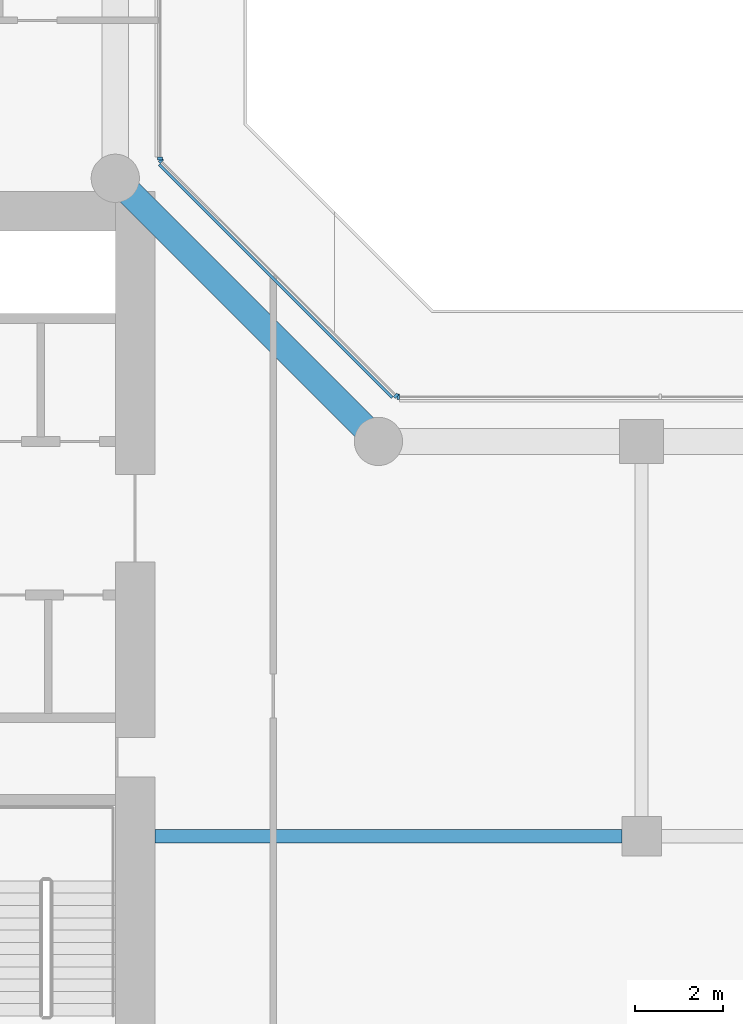
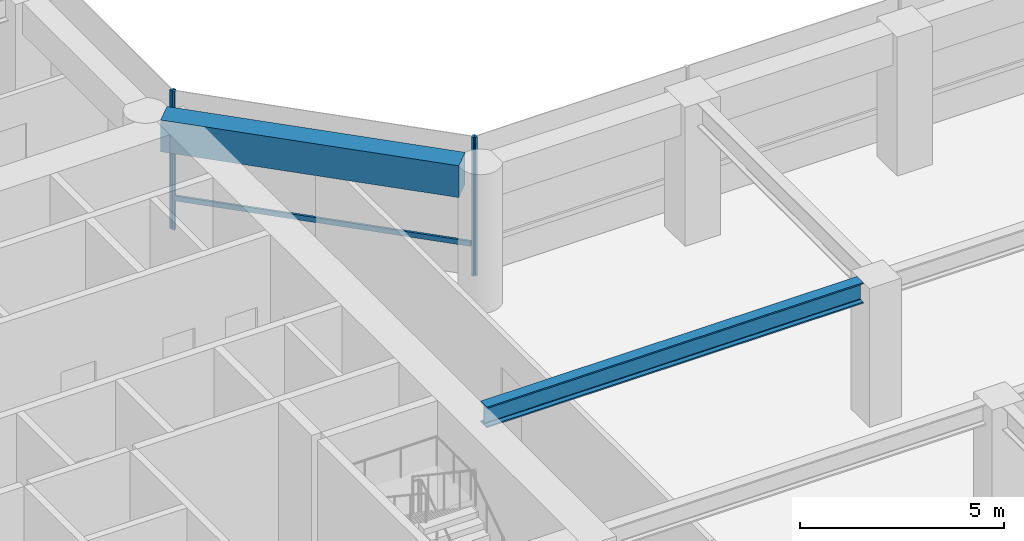
# One storey, part 5 of 24: 5 members, 2 beams, 3 elements without a shape of their own.
"""IFC4 building model written with IfcOpenShell, lengths in metres."""

import ifcopenshell
import ifcopenshell.guid

model = None  # the IFC model being written
_history = None  # IfcOwnerHistory: only IFC2X3 demands one
_inside = {}  # id of a spatial element -> (the spatial element, [elements in it])
_under = {}  # id of a project, library or spatial element -> (it, [spatial elements below it])
_declared = {}  # id of a project -> (the project, [libraries it declares])
_typed = {}  # id of a type object -> (the type object, [elements of that type])
_made_of = {}  # id of a material, layer set ... -> (it, [elements and type objects made of it])


def new_model(schema):
    """Start an empty IFC model of exactly this schema.

    Asked for "IFC4X3", IfcOpenShell would pick the latest addendum, in which some entities
    have other attributes; the version numbers below select the first issue.
    IFC2X3 requires an IfcOwnerHistory on every rooted entity: one is made here for all.
    """
    global model, _history
    if schema == "IFC4X3":
        model = ifcopenshell.file(schema_version=(4, 3, 0, 0))
    else:
        model = ifcopenshell.file(schema=schema)
    _inside.clear()
    _under.clear()
    _declared.clear()
    _typed.clear()
    _made_of.clear()
    _history = None
    if model.schema == "IFC2X3":
        org = make("IfcOrganization", Name="unknown")
        user = make(
            "IfcPersonAndOrganization",
            ThePerson=make("IfcPerson", FamilyName="unknown"),
            TheOrganization=org,
        )
        app = make(
            "IfcApplication",
            ApplicationDeveloper=org,
            Version="unknown",
            ApplicationFullName="unknown",
            ApplicationIdentifier="unknown",
        )
        _history = make(
            "IfcOwnerHistory",
            OwningUser=user,
            OwningApplication=app,
            ChangeAction="ADDED",
            CreationDate=0,
        )
    return model


def make(cls, **values):
    """One entity of the class cls with the attributes given. An attribute that is None is left unset."""
    return model.create_entity(
        cls, **{name: value for name, value in values.items() if value is not None}
    )


def rooted(cls, **values):
    """An entity with a GlobalId (a new one), such as an element, a storey or a relation."""
    return make(cls, GlobalId=ifcopenshell.guid.new(), OwnerHistory=_history, **values)


def si_unit(unit_type, name, prefix=None):
    """IfcSIUnit, for example si_unit("LENGTHUNIT", "METRE", prefix="MILLI")."""
    return make("IfcSIUnit", UnitType=unit_type, Prefix=prefix, Name=name)


def assignment(units):
    """IfcUnitAssignment: the units of a project."""
    return None if units is None else make("IfcUnitAssignment", Units=units)


def point(xyz):
    """IfcCartesianPoint."""
    return None if xyz is None else make("IfcCartesianPoint", Coordinates=xyz)


def direction(xyz):
    """IfcDirection."""
    return None if xyz is None else make("IfcDirection", DirectionRatios=xyz)


def frame(location, z_axis=None, x_axis=None):
    """IfcAxis2Placement3D, a coordinate frame: its origin and axes. An axis left out is left unset."""
    return make(
        "IfcAxis2Placement3D",
        Location=point(location),
        Axis=direction(z_axis),
        RefDirection=direction(x_axis),
    )


def frame_2d(location, x_axis=None):
    """IfcAxis2Placement2D, a coordinate frame in the plane: its origin and x axis."""
    return make(
        "IfcAxis2Placement2D", Location=point(location), RefDirection=direction(x_axis)
    )


def origin():
    """The frame at (0, 0, 0) with its axes left unset."""
    return frame((0.0, 0.0, 0.0))


def origin_2d():
    """The frame at (0, 0) in the plane with its x axis left unset."""
    return frame_2d((0.0, 0.0))


def place(relative_to, where):
    """IfcLocalPlacement: puts the frame where relative to a parent placement (None: the world)."""
    return make(
        "IfcLocalPlacement", PlacementRelTo=relative_to, RelativePlacement=where
    )


def context(
    kind, dimensions, precision=None, world=None, true_north=None, identifier=None
):
    """IfcGeometricRepresentationContext, for example the 3D "Model" context."""
    return make(
        "IfcGeometricRepresentationContext",
        ContextIdentifier=identifier,
        ContextType=kind,
        CoordinateSpaceDimension=dimensions,
        Precision=precision,
        WorldCoordinateSystem=world,
        TrueNorth=true_north,
    )


def subcontext(parent, identifier, kind, view, scale=None):
    """IfcGeometricRepresentationSubContext, for example "Body" below "Model"."""
    return make(
        "IfcGeometricRepresentationSubContext",
        ContextIdentifier=identifier,
        ContextType=kind,
        ParentContext=parent,
        TargetScale=scale,
        TargetView=view,
    )


def project(units=None, contexts=None):
    """IfcProject with its units and contexts."""
    return rooted(
        "IfcProject",
        Name="project",
        RepresentationContexts=contexts,
        UnitsInContext=assignment(units),
    )


def spatial(cls, under=None, at=None, **own):
    """A site, building, storey or space (cls), placed at a placement, below another one or the project."""
    s = rooted(cls, ObjectPlacement=at, **own)
    if under is not None:
        _under.setdefault(under.id(), (under, []))[1].append(s)
    return s


def profile(cls, at=None, kind="AREA", **sizes):
    """A parametric profile (cls). Its sizes go by their IFC names, for example OverallWidth=200.0."""
    return make(cls, ProfileType=kind, Position=at, **sizes)


def rectangle(**sizes):
    """IfcRectangleProfileDef."""
    return profile("IfcRectangleProfileDef", **sizes)


def i_section(**sizes):
    """IfcIShapeProfileDef."""
    return profile("IfcIShapeProfileDef", **sizes)


def extrude(swept, where, along, depth):
    """IfcExtrudedAreaSolid: the profile swept, set in the frame where, extruded along a direction by depth."""
    return make(
        "IfcExtrudedAreaSolid",
        SweptArea=swept,
        Position=where,
        ExtrudedDirection=direction(along),
        Depth=depth,
    )


def shape(context_of_items, identifier, shape_type, items):
    """IfcShapeRepresentation: the items that make up one representation, for example the "Body"."""
    return make(
        "IfcShapeRepresentation",
        ContextOfItems=context_of_items,
        RepresentationIdentifier=identifier,
        RepresentationType=shape_type,
        Items=items,
    )


def material(Name=None, Category=None):
    """IfcMaterial."""
    return make("IfcMaterial", Name=Name, Category=Category)


def layer(
    of_material, thickness, ventilated=None, Name=None, Category=None, Priority=None
):
    """IfcMaterialLayer: one layer of a wall or slab, of a material (None: an air gap)."""
    return make(
        "IfcMaterialLayer",
        Material=of_material,
        LayerThickness=thickness,
        IsVentilated=ventilated,
        Name=Name,
        Category=Category,
        Priority=Priority,
    )


def layer_set(layers, Name=None):
    """IfcMaterialLayerSet."""
    return make("IfcMaterialLayerSet", MaterialLayers=layers, LayerSetName=Name)


def material_profile(
    of_material, cross_section, Name=None, Category=None, Priority=None
):
    """IfcMaterialProfile: a cross section and its material."""
    return make(
        "IfcMaterialProfile",
        Name=Name,
        Material=of_material,
        Profile=cross_section,
        Priority=Priority,
        Category=Category,
    )


def profile_set(profiles, Name=None, composite=None):
    """IfcMaterialProfileSet."""
    return make(
        "IfcMaterialProfileSet",
        Name=Name,
        MaterialProfiles=profiles,
        CompositeProfile=composite,
    )


def made_of(thing, what):
    """Note that an element or type object is made of a material, layer set ...; save() writes the relation."""
    if what is not None:
        _made_of.setdefault(what.id(), (what, []))[1].append(thing)
    return thing


def type_object(cls, material=None, **own):
    """A type object (cls), such as IfcWallType, which elements share."""
    return made_of(rooted(cls, **own), material)


def element(
    cls,
    number,
    at=None,
    inside=None,
    cuts=None,
    type_object=None,
    material=None,
    context=None,
    identifier="Body",
    shape_type=None,
    held_by="IfcProductDefinitionShape",
    body=None,
    shapes=None,
    **own,
):
    """One element of the class cls, such as IfcWall. Its Tag is "e" and its number.

    at: its placement. inside: the storey or other place that contains it. cuts: it is an
    opening in that element (IfcRelVoidsElement). A single representation is given by context,
    identifier, shape_type and body (its items); several are given by shapes. held_by: the class
    of the entity that holds the representations. save() writes the other relations.
    """
    e = rooted(cls, Tag="e%d" % number, ObjectPlacement=at, **own)
    if body is not None:
        shapes = [shape(context, identifier, shape_type, body)]
    if shapes is not None:
        e.Representation = make(held_by, Representations=shapes)
    if inside is not None:
        _inside.setdefault(inside.id(), (inside, []))[1].append(e)
    if cuts is not None:
        rooted(
            "IfcRelVoidsElement", RelatingBuildingElement=cuts, RelatedOpeningElement=e
        )
    if type_object is not None:
        _typed.setdefault(type_object.id(), (type_object, []))[1].append(e)
    return made_of(e, material)


def aggregate(whole, parts):
    """IfcRelAggregates: a whole, such as a stair, and the parts it consists of."""
    return rooted("IfcRelAggregates", RelatingObject=whole, RelatedObjects=parts)


def save(model, path):
    """Write the relations noted so far, then the file.

    IfcRelAggregates (storeys below a building ...), IfcRelContainedInSpatialStructure (elements
    in a storey), IfcRelDefinesByType, IfcRelAssociatesMaterial and IfcRelDeclares: one each for
    every whole, place, type object, material and project.
    """
    for whole, parts in _under.values():
        aggregate(whole, parts)
    for where, things in _inside.values():
        rooted(
            "IfcRelContainedInSpatialStructure",
            RelatedElements=things,
            RelatingStructure=where,
        )
    for kind, things in _typed.values():
        rooted("IfcRelDefinesByType", RelatedObjects=things, RelatingType=kind)
    for what, things in _made_of.values():
        rooted("IfcRelAssociatesMaterial", RelatedObjects=things, RelatingMaterial=what)
    for by, libraries in _declared.values():
        rooted("IfcRelDeclares", RelatingContext=by, RelatedDefinitions=libraries)
    model.write(path)


model = new_model("IFC4")

# Units and contexts
model_context = context("Model", 3, precision=1e-05, world=origin(), true_north=direction((0.0, 1.0)))
body_context = subcontext(model_context, "Body", "Model", "MODEL_VIEW")
ifc_project = project(units=[si_unit("LENGTHUNIT", "METRE"), si_unit("AREAUNIT", "SQUARE_METRE"), si_unit("VOLUMEUNIT", "CUBIC_METRE"), si_unit("PLANEANGLEUNIT", "RADIAN"), si_unit("MASSUNIT", "GRAM", prefix="KILO")], contexts=[model_context])

# Site, building, storey
site_placement = place(None, origin())
site = spatial("IfcSite", under=ifc_project, at=site_placement, CompositionType="ELEMENT")
building_placement = place(site_placement, origin())
building = spatial("IfcBuilding", under=site, at=building_placement, Name="Welwitschia Terrace Campus", CompositionType="ELEMENT")
storey_placement = place(building_placement, frame((0.0, 0.0, 20.0)))
storey = spatial("IfcBuildingStorey", under=building, at=storey_placement, Name="L04", CompositionType="ELEMENT", Elevation=20.0)

# Beam
ifc_material_1 = material(Name="Steel S355", Category="steel")
ifc_material_profile_1 = material_profile(ifc_material_1, i_section(OverallWidth=0.304931640625, OverallDepth=0.6201171875, WebThickness=0.02099609375, FlangeThickness=0.0400390625, FilletRadius=0.027099609375, at=origin_2d()))
ifc_profile_set_1 = profile_set([ifc_material_profile_1], Name="Steel S355")
beam_type_1 = type_object("IfcBeamType", Name="Interior girder HE 600 M", PredefinedType="BEAM", material=ifc_profile_set_1)
beam_1_placement = place(storey_placement, frame((24.90087890625, 11.0, 3.840087890625), z_axis=(1.0, 0.0, 0.0), x_axis=(0.0, 1.0, 0.0)))
element("IfcBeam", 1, at=beam_1_placement, inside=storey, type_object=beam_type_1, Name="Girder GB1", PredefinedType="BEAM", context=body_context, shape_type="SweptSolid", body=[
    extrude(i_section(OverallWidth=0.304931640625, OverallDepth=0.6201171875, WebThickness=0.02099609375, FlangeThickness=0.0400390625, FilletRadius=0.027099609375, at=origin_2d()), origin(), (0.0, 0.0, 1.0), 10.648681640625),
])

# Curtain wall, member
ifc_material_2 = material(Name="Bronze anodised aluminium", Category="aluminium")
ifc_layer = layer(ifc_material_2, 0.1201171875)
ifc_layer_set = layer_set([ifc_layer], Name="Bronze anodised aluminium")
curtain_wall_type = type_object("IfcCurtainWallType", Name="Curtain wall CW2 tower 6000", PredefinedType="NOTDEFINED", material=ifc_layer_set)
curtain_wall_1_placement = place(storey_placement, origin())
curtain_wall_1 = element("IfcCurtainWall", 2, at=curtain_wall_1_placement, inside=storey, type_object=curtain_wall_type, Name="CW L04.5.0", PredefinedType="NOTDEFINED")
ifc_material_3 = material(Name="Bronze anodised aluminium", Category="aluminium")
ifc_material_profile_2 = material_profile(ifc_material_3, rectangle(XDim=0.1201171875, YDim=0.06005859375, at=origin_2d()))
ifc_profile_set_2 = profile_set([ifc_material_profile_2], Name="Bronze anodised aluminium")
member_type_1 = type_object("IfcMemberType", Name="Mullion 60x120", PredefinedType="MULLION", material=ifc_profile_set_2)
member_1_placement = place(storey_placement, frame((30.452392578125, 21.02001953125, 0.0), z_axis=(0.0, 0.0, 1.0), x_axis=(0.0, -1.0, 0.0)))
member_1 = element("IfcMember", 3, at=member_1_placement, type_object=member_type_1, Name="Mullion L04.5.0.5", PredefinedType="MULLION", context=body_context, shape_type="SweptSolid", body=[
    extrude(rectangle(XDim=0.1201171875, YDim=0.06005859375, at=origin_2d()), origin(), (0.0, 0.0, 1.0), 4.14990234375),
])
aggregate(curtain_wall_1, [member_1])

# Curtain wall, members
curtain_wall_2_placement = place(storey_placement, origin())
curtain_wall_2 = element("IfcCurtainWall", 4, at=curtain_wall_2_placement, inside=storey, type_object=curtain_wall_type, Name="CW L04.6.0", PredefinedType="NOTDEFINED")
member_2_placement = place(storey_placement, frame((30.4013671875, 21.041259765625, 0.0), z_axis=(0.0, 0.0, 1.0), x_axis=(-0.707106781187, -0.707106781187, 0.0)))
member_2 = element("IfcMember", 5, at=member_2_placement, type_object=member_type_1, Name="Mullion L04.6.0.0", PredefinedType="MULLION", context=body_context, shape_type="SweptSolid", body=[
    extrude(rectangle(XDim=0.1201171875, YDim=0.06005859375, at=origin_2d()), origin(), (0.0, 0.0, 1.0), 4.14990234375),
])
member_3_placement = place(storey_placement, frame((25.041259765625, 26.4013671875, 0.0), z_axis=(0.0, 0.0, 1.0), x_axis=(-0.707106781187, -0.707106781187, 0.0)))
member_3 = element("IfcMember", 6, at=member_3_placement, type_object=member_type_1, Name="Mullion L04.6.0.1", PredefinedType="MULLION", context=body_context, shape_type="SweptSolid", body=[
    extrude(rectangle(XDim=0.1201171875, YDim=0.06005859375, at=origin_2d()), origin(), (0.0, 0.0, 1.0), 4.14990234375),
])

# Curtain wall, member
curtain_wall_3_placement = place(storey_placement, origin())
curtain_wall_3 = element("IfcCurtainWall", 7, at=curtain_wall_3_placement, inside=storey, type_object=curtain_wall_type, Name="CW L04.7.0", PredefinedType="NOTDEFINED")
member_4_placement = place(storey_placement, frame((25.02001953125, 26.452392578125, 0.0), z_axis=(0.0, 0.0, 1.0), x_axis=(-1.0, 0.0, 0.0)))
member_4 = element("IfcMember", 8, at=member_4_placement, type_object=member_type_1, Name="Mullion L04.7.0.0", PredefinedType="MULLION", context=body_context, shape_type="SweptSolid", body=[
    extrude(rectangle(XDim=0.1201171875, YDim=0.06005859375, at=origin_2d()), origin(), (0.0, 0.0, 1.0), 4.14990234375),
])
aggregate(curtain_wall_3, [member_4])

# Beam
ifc_material_4 = material(Name="Concrete C60/75", Category="concrete")
ifc_material_profile_3 = material_profile(ifc_material_4, rectangle(XDim=0.60009765625, YDim=0.949951171875, at=origin_2d()))
ifc_profile_set_3 = profile_set([ifc_material_profile_3], Name="Concrete C60/75")
beam_type_2 = type_object("IfcBeamType", Name="Ring spandrel 600x950", PredefinedType="SPANDREL", material=ifc_profile_set_3)
beam_2_placement = place(storey_placement, frame((29.673583984375, 20.326416015625, 3.675048828125), z_axis=(-0.707106781187, 0.707106781187, 0.0), x_axis=(-0.707106781187, -0.707106781187, 0.0)))
element("IfcBeam", 9, at=beam_2_placement, inside=storey, type_object=beam_type_2, Name="Spandrel SP1", PredefinedType="SPANDREL", context=body_context, shape_type="SweptSolid", body=[
    extrude(rectangle(XDim=0.60009765625, YDim=0.949951171875, at=origin_2d()), origin(), (0.0, 0.0, 1.0), 7.56201171875),
])

# Member
ifc_material_5 = material(Name="Bronze anodised aluminium", Category="aluminium")
ifc_material_profile_4 = material_profile(ifc_material_5, rectangle(XDim=0.06005859375, YDim=0.14990234375, at=origin_2d()))
ifc_profile_set_4 = profile_set([ifc_material_profile_4], Name="Bronze anodised aluminium")
member_type_2 = type_object("IfcMemberType", Name="Transom 60x150", PredefinedType="USERDEFINED", material=ifc_profile_set_4)
member_5_placement = place(storey_placement, frame((30.31640625, 20.998779296875, 1.0), z_axis=(-0.707106781187, 0.707106781187, 0.0), x_axis=(-0.707106781187, -0.707106781187, 0.0)))
member_5 = element("IfcMember", 10, at=member_5_placement, type_object=member_type_2, Name="Transom L04.6.0", ObjectType="TRANSOM", PredefinedType="USERDEFINED", context=body_context, shape_type="SweptSolid", body=[
    extrude(rectangle(XDim=0.06005859375, YDim=0.14990234375, at=origin_2d()), origin(), (0.0, 0.0, 1.0), 7.520263671875),
])

aggregate(curtain_wall_2, [member_2, member_3, member_5])

save(model, "model.ifc")
